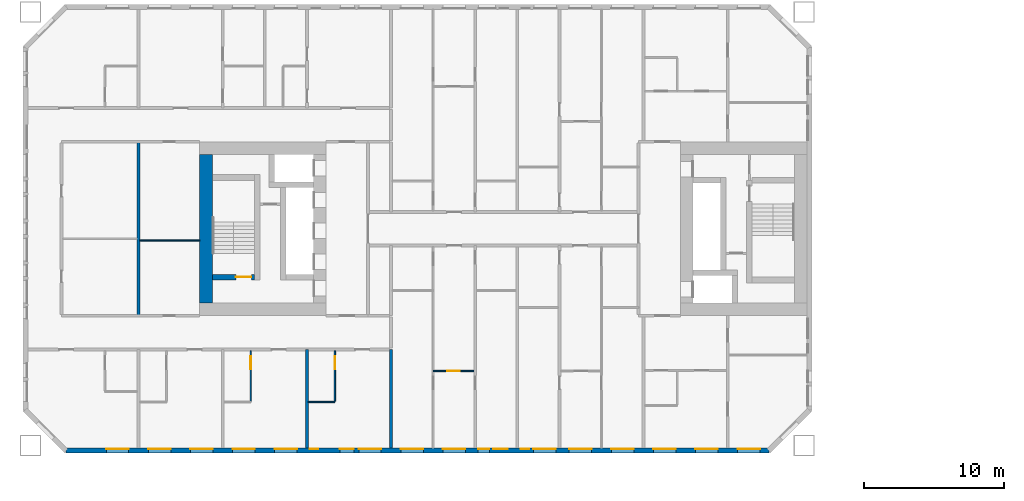
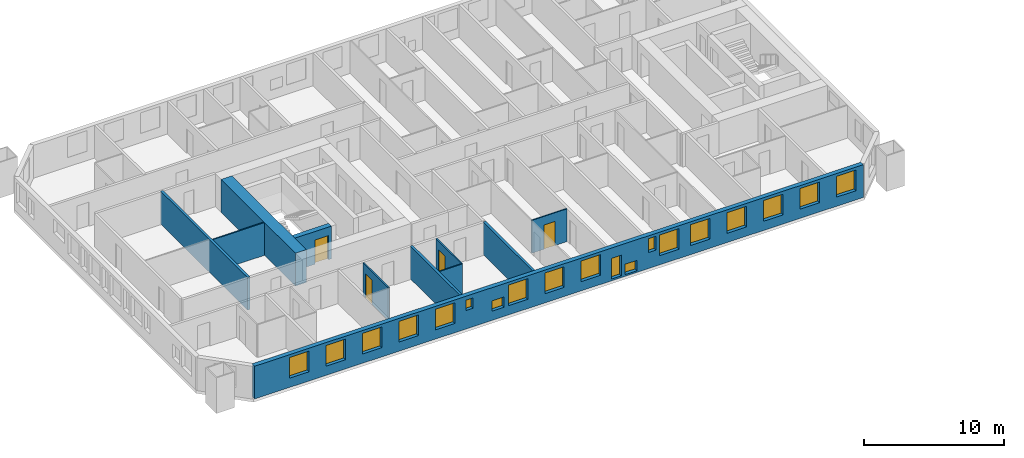
# One storey, part 3 of 18: 19 windows, 11 walls, 4 doors, 23 openings.
"""IFC4 building model written with IfcOpenShell, lengths in metres."""

from ifc_helpers import new_model, si_unit, direction, frame, frame_2d, origin, place, context, subcontext, project, spatial, rectangle, extrude, material, layer, layer_set, type_object, element, fill, save


model = new_model("IFC4")

# Units and contexts
model_context = context("Model", 3, precision=1e-05, world=origin(), true_north=direction((0.0, 1.0)))
body_context = subcontext(model_context, "Body", "Model", "MODEL_VIEW")
ifc_project = project(units=[si_unit("LENGTHUNIT", "METRE"), si_unit("AREAUNIT", "SQUARE_METRE"), si_unit("VOLUMEUNIT", "CUBIC_METRE"), si_unit("PLANEANGLEUNIT", "RADIAN"), si_unit("MASSUNIT", "GRAM", prefix="KILO")], contexts=[model_context])

# Site, building, storey
site_placement = place(None, origin())
site = spatial("IfcSite", under=ifc_project, at=site_placement, CompositionType="ELEMENT")
building_placement = place(site_placement, origin())
building = spatial("IfcBuilding", under=site, at=building_placement, Name="Tuart Gate Housing", CompositionType="ELEMENT")
storey_placement = place(building_placement, frame((0.0, 0.0, 31.89990234375)))
storey = spatial("IfcBuildingStorey", under=building, at=storey_placement, Name="L08", CompositionType="ELEMENT", Elevation=31.89990234375)

# Wall, openings, windows
ifc_material_1 = material(Name="Brick", Category="masonry")
ifc_layer_1 = layer(ifc_material_1, 0.360107421875)
ifc_layer_set_1 = layer_set([ifc_layer_1], Name="Brick pier and spandrel wall 360")
wall_type_1 = type_object("IfcWallType", Name="Brick pier and spandrel wall 360", PredefinedType="STANDARD", material=ifc_layer_set_1)
wall_1_placement = place(storey_placement, frame((22.82470703125, 54.179931640625, 0.0), z_axis=(0.0, 0.0, 1.0), x_axis=(1.0, 0.0, 0.0)))
wall_1 = element("IfcWall", 1, at=wall_1_placement, inside=storey, type_object=wall_type_1, Name="External wall A-S L08", PredefinedType="STANDARD", context=body_context, shape_type="SweptSolid", body=[
    extrude(rectangle(XDim=50.100830078125, YDim=0.360107421875, at=frame_2d((25.05029296875, 0.0))), origin(), (0.0, 0.0, 1.0), 2.85009765625),
])
opening_1_placement = place(wall_1_placement, frame((2.87548828125, 0.0, 0.800048828125)))
opening_1 = element("IfcOpeningElement", 2, at=opening_1_placement, cuts=wall_1, Name="Opening W1", PredefinedType="OPENING", context=body_context, shape_type="SweptSolid", body=[
    extrude(rectangle(XDim=1.60009765625, YDim=1.800048828125, at=frame_2d((0.800048828125, 0.89990234375))), frame((0.0, 0.18994140625, 0.0), z_axis=(0.0, -1.0, 0.0), x_axis=(1.0, 0.0, 0.0)), (0.0, 0.0, 1.0), 0.380126953125),
])
opening_2_placement = place(wall_1_placement, frame((5.87548828125, 0.0, 0.800048828125)))
opening_2 = element("IfcOpeningElement", 3, at=opening_2_placement, cuts=wall_1, Name="Opening W1", PredefinedType="OPENING", context=body_context, shape_type="SweptSolid", body=[
    extrude(rectangle(XDim=1.60009765625, YDim=1.800048828125, at=frame_2d((0.800048828125, 0.89990234375))), frame((0.0, 0.18994140625, 0.0), z_axis=(0.0, -1.0, 0.0), x_axis=(1.0, 0.0, 0.0)), (0.0, 0.0, 1.0), 0.380126953125),
])
opening_3_placement = place(wall_1_placement, frame((8.87548828125, 0.0, 0.800048828125)))
opening_3 = element("IfcOpeningElement", 4, at=opening_3_placement, cuts=wall_1, Name="Opening W1", PredefinedType="OPENING", context=body_context, shape_type="SweptSolid", body=[
    extrude(rectangle(XDim=1.60009765625, YDim=1.800048828125, at=frame_2d((0.800048828125, 0.89990234375))), frame((0.0, 0.18994140625, 0.0), z_axis=(0.0, -1.0, 0.0), x_axis=(1.0, 0.0, 0.0)), (0.0, 0.0, 1.0), 0.380126953125),
])
opening_4_placement = place(wall_1_placement, frame((11.87548828125, 0.0, 0.800048828125)))
opening_4 = element("IfcOpeningElement", 5, at=opening_4_placement, cuts=wall_1, Name="Opening W1", PredefinedType="OPENING", context=body_context, shape_type="SweptSolid", body=[
    extrude(rectangle(XDim=1.60009765625, YDim=1.800048828125, at=frame_2d((0.800048828125, 0.89990234375))), frame((0.0, 0.18994140625, 0.0), z_axis=(0.0, -1.0, 0.0), x_axis=(1.0, 0.0, 0.0)), (0.0, 0.0, 1.0), 0.380126953125),
])
opening_5_placement = place(wall_1_placement, frame((14.87548828125, 0.0, 0.800048828125)))
opening_5 = element("IfcOpeningElement", 6, at=opening_5_placement, cuts=wall_1, Name="Opening W1", PredefinedType="OPENING", context=body_context, shape_type="SweptSolid", body=[
    extrude(rectangle(XDim=1.60009765625, YDim=1.800048828125, at=frame_2d((0.800048828125, 0.89990234375))), frame((0.0, 0.18994140625, 0.0), z_axis=(0.0, -1.0, 0.0), x_axis=(1.0, 0.0, 0.0)), (0.0, 0.0, 1.0), 0.380126953125),
])
opening_6_placement = place(wall_1_placement, frame((17.37548828125, 0.0, 1.60009765625)))
opening_6 = element("IfcOpeningElement", 7, at=opening_6_placement, cuts=wall_1, Name="Opening W1W", PredefinedType="OPENING", context=body_context, shape_type="SweptSolid", body=[
    extrude(rectangle(XDim=0.60009765625, YDim=0.89990234375, at=frame_2d((0.300048828125, 0.449951171875))), frame((0.0, 0.18994140625, 0.0), z_axis=(0.0, -1.0, 0.0), x_axis=(1.0, 0.0, 0.0)), (0.0, 0.0, 1.0), 0.380126953125),
])
opening_7_placement = place(wall_1_placement, frame((20.87548828125, 0.0, 0.800048828125)))
opening_7 = element("IfcOpeningElement", 8, at=opening_7_placement, cuts=wall_1, Name="Opening W1", PredefinedType="OPENING", context=body_context, shape_type="SweptSolid", body=[
    extrude(rectangle(XDim=1.60009765625, YDim=1.800048828125, at=frame_2d((0.800048828125, 0.89990234375))), frame((0.0, 0.18994140625, 0.0), z_axis=(0.0, -1.0, 0.0), x_axis=(1.0, 0.0, 0.0)), (0.0, 0.0, 1.0), 0.380126953125),
])
opening_8_placement = place(wall_1_placement, frame((23.87548828125, 0.0, 0.800048828125)))
opening_8 = element("IfcOpeningElement", 9, at=opening_8_placement, cuts=wall_1, Name="Opening W1", PredefinedType="OPENING", context=body_context, shape_type="SweptSolid", body=[
    extrude(rectangle(XDim=1.60009765625, YDim=1.800048828125, at=frame_2d((0.800048828125, 0.89990234375))), frame((0.0, 0.18994140625, 0.0), z_axis=(0.0, -1.0, 0.0), x_axis=(1.0, 0.0, 0.0)), (0.0, 0.0, 1.0), 0.380126953125),
])
opening_9_placement = place(wall_1_placement, frame((26.87548828125, 0.0, 0.800048828125)))
opening_9 = element("IfcOpeningElement", 10, at=opening_9_placement, cuts=wall_1, Name="Opening W1", PredefinedType="OPENING", context=body_context, shape_type="SweptSolid", body=[
    extrude(rectangle(XDim=1.60009765625, YDim=1.800048828125, at=frame_2d((0.800048828125, 0.89990234375))), frame((0.0, 0.18994140625, 0.0), z_axis=(0.0, -1.0, 0.0), x_axis=(1.0, 0.0, 0.0)), (0.0, 0.0, 1.0), 0.380126953125),
])
opening_10_placement = place(wall_1_placement, frame((29.37548828125, 0.0, 0.14990234375)))
opening_10 = element("IfcOpeningElement", 11, at=opening_10_placement, cuts=wall_1, Name="Opening W1D", PredefinedType="OPENING", context=body_context, shape_type="SweptSolid", body=[
    extrude(rectangle(XDim=0.800048828125, YDim=1.800048828125, at=frame_2d((0.39990234375, 0.89990234375))), frame((0.0, 0.18994140625, 0.0), z_axis=(0.0, -1.0, 0.0), x_axis=(1.0, 0.0, 0.0)), (0.0, 0.0, 1.0), 0.380126953125),
])
opening_11_placement = place(wall_1_placement, frame((32.42529296875, 0.0, 1.39990234375)))
opening_11 = element("IfcOpeningElement", 12, at=opening_11_placement, cuts=wall_1, Name="Opening W1Q", PredefinedType="OPENING", context=body_context, shape_type="SweptSolid", body=[
    extrude(rectangle(XDim=0.60009765625, YDim=1.199951171875, at=frame_2d((0.300048828125, 0.60009765625))), frame((0.0, 0.18994140625, 0.0), z_axis=(0.0, -1.0, 0.0), x_axis=(1.0, 0.0, 0.0)), (0.0, 0.0, 1.0), 0.380126953125),
])
opening_12_placement = place(wall_1_placement, frame((35.87548828125, 0.0, 0.800048828125)))
opening_12 = element("IfcOpeningElement", 13, at=opening_12_placement, cuts=wall_1, Name="Opening W1", PredefinedType="OPENING", context=body_context, shape_type="SweptSolid", body=[
    extrude(rectangle(XDim=1.60009765625, YDim=1.800048828125, at=frame_2d((0.800048828125, 0.89990234375))), frame((0.0, 0.18994140625, 0.0), z_axis=(0.0, -1.0, 0.0), x_axis=(1.0, 0.0, 0.0)), (0.0, 0.0, 1.0), 0.380126953125),
])
opening_13_placement = place(wall_1_placement, frame((38.87548828125, 0.0, 0.800048828125)))
opening_13 = element("IfcOpeningElement", 14, at=opening_13_placement, cuts=wall_1, Name="Opening W1", PredefinedType="OPENING", context=body_context, shape_type="SweptSolid", body=[
    extrude(rectangle(XDim=1.60009765625, YDim=1.800048828125, at=frame_2d((0.800048828125, 0.89990234375))), frame((0.0, 0.18994140625, 0.0), z_axis=(0.0, -1.0, 0.0), x_axis=(1.0, 0.0, 0.0)), (0.0, 0.0, 1.0), 0.380126953125),
])
opening_14_placement = place(wall_1_placement, frame((41.87548828125, 0.0, 0.800048828125)))
opening_14 = element("IfcOpeningElement", 15, at=opening_14_placement, cuts=wall_1, Name="Opening W1", PredefinedType="OPENING", context=body_context, shape_type="SweptSolid", body=[
    extrude(rectangle(XDim=1.60009765625, YDim=1.800048828125, at=frame_2d((0.800048828125, 0.89990234375))), frame((0.0, 0.18994140625, 0.0), z_axis=(0.0, -1.0, 0.0), x_axis=(1.0, 0.0, 0.0)), (0.0, 0.0, 1.0), 0.380126953125),
])
opening_15_placement = place(wall_1_placement, frame((44.87548828125, 0.0, 0.800048828125)))
opening_15 = element("IfcOpeningElement", 16, at=opening_15_placement, cuts=wall_1, Name="Opening W1", PredefinedType="OPENING", context=body_context, shape_type="SweptSolid", body=[
    extrude(rectangle(XDim=1.60009765625, YDim=1.800048828125, at=frame_2d((0.800048828125, 0.89990234375))), frame((0.0, 0.18994140625, 0.0), z_axis=(0.0, -1.0, 0.0), x_axis=(1.0, 0.0, 0.0)), (0.0, 0.0, 1.0), 0.380126953125),
])
opening_16_placement = place(wall_1_placement, frame((47.87548828125, 0.0, 0.800048828125)))
opening_16 = element("IfcOpeningElement", 17, at=opening_16_placement, cuts=wall_1, Name="Opening W1", PredefinedType="OPENING", context=body_context, shape_type="SweptSolid", body=[
    extrude(rectangle(XDim=1.60009765625, YDim=1.800048828125, at=frame_2d((0.800048828125, 0.89990234375))), frame((0.0, 0.18994140625, 0.0), z_axis=(0.0, -1.0, 0.0), x_axis=(1.0, 0.0, 0.0)), (0.0, 0.0, 1.0), 0.380126953125),
])
opening_17_placement = place(wall_1_placement, frame((19.525390625, 0.0, 0.800048828125)))
opening_17 = element("IfcOpeningElement", 18, at=opening_17_placement, cuts=wall_1, Name="Opening W1U", PredefinedType="OPENING", context=body_context, shape_type="SweptSolid", body=[
    extrude(rectangle(XDim=1.0, YDim=0.89990234375, at=frame_2d((0.5, 0.449951171875))), frame((0.0, 0.18994140625, 0.0), z_axis=(0.0, -1.0, 0.0), x_axis=(1.0, 0.0, 0.0)), (0.0, 0.0, 1.0), 0.380126953125),
])
opening_18_placement = place(wall_1_placement, frame((30.475341796875, 0.0, 0.14990234375)))
opening_18 = element("IfcOpeningElement", 19, at=opening_18_placement, cuts=wall_1, Name="Opening W1U", PredefinedType="OPENING", context=body_context, shape_type="SweptSolid", body=[
    extrude(rectangle(XDim=1.0, YDim=0.89990234375, at=frame_2d((0.5, 0.449951171875))), frame((0.0, 0.18994140625, 0.0), z_axis=(0.0, -1.0, 0.0), x_axis=(1.0, 0.0, 0.0)), (0.0, 0.0, 1.0), 0.380126953125),
])
opening_19_placement = place(wall_1_placement, frame((33.325439453125, 0.0, 0.800048828125)))
opening_19 = element("IfcOpeningElement", 20, at=opening_19_placement, cuts=wall_1, Name="Opening W1", PredefinedType="OPENING", context=body_context, shape_type="SweptSolid", body=[
    extrude(rectangle(XDim=1.60009765625, YDim=1.800048828125, at=frame_2d((0.800048828125, 0.89990234375))), frame((0.0, 0.18994140625, 0.0), z_axis=(0.0, -1.0, 0.0), x_axis=(1.0, 0.0, 0.0)), (0.0, 0.0, 1.0), 0.380126953125),
])
ifc_material_2 = material(Name="Aluminium frame with clear glass", Category="aluminium")
window_type_1 = type_object("IfcWindowType", Name="Punched window 1000 x 900", PartitioningType="SINGLE_PANEL", PredefinedType="WINDOW", material=ifc_material_2)
window_1_placement = place(opening_17_placement, origin())
window_1 = element("IfcWindow", 21, at=window_1_placement, inside=storey, type_object=window_type_1, Name="Window W1U", OverallHeight=0.89990234375, OverallWidth=1.0, PartitioningType="SINGLE_PANEL", PredefinedType="WINDOW", context=body_context, shape_type="SweptSolid", body=[
    extrude(rectangle(XDim=1.0, YDim=0.89990234375, at=frame_2d((0.5, 0.449951171875))), frame((0.0, 0.150146484375, 0.0), z_axis=(0.0, -1.0, 0.0), x_axis=(1.0, 0.0, 0.0)), (0.0, 0.0, 1.0), 0.06005859375),
])
fill(opening_17, window_1)
window_2_placement = place(opening_18_placement, origin())
window_2 = element("IfcWindow", 22, at=window_2_placement, inside=storey, type_object=window_type_1, Name="Window W1U", OverallHeight=0.89990234375, OverallWidth=1.0, PartitioningType="SINGLE_PANEL", PredefinedType="WINDOW", context=body_context, shape_type="SweptSolid", body=[
    extrude(rectangle(XDim=1.0, YDim=0.89990234375, at=frame_2d((0.5, 0.449951171875))), frame((0.0, 0.150146484375, 0.0), z_axis=(0.0, -1.0, 0.0), x_axis=(1.0, 0.0, 0.0)), (0.0, 0.0, 1.0), 0.06005859375),
])
fill(opening_18, window_2)
ifc_material_3 = material(Name="Aluminium frame with clear glass", Category="aluminium")
window_type_2 = type_object("IfcWindowType", Name="Punched window 1600 x 1800", PartitioningType="SINGLE_PANEL", PredefinedType="WINDOW", material=ifc_material_3)
window_3_placement = place(opening_1_placement, origin())
window_3 = element("IfcWindow", 23, at=window_3_placement, inside=storey, type_object=window_type_2, Name="Window W1", OverallHeight=1.800048828125, OverallWidth=1.60009765625, PartitioningType="SINGLE_PANEL", PredefinedType="WINDOW", context=body_context, shape_type="SweptSolid", body=[
    extrude(rectangle(XDim=1.60009765625, YDim=1.800048828125, at=frame_2d((0.800048828125, 0.89990234375))), frame((0.0, 0.150146484375, 0.0), z_axis=(0.0, -1.0, 0.0), x_axis=(1.0, 0.0, 0.0)), (0.0, 0.0, 1.0), 0.06005859375),
])
fill(opening_1, window_3)
window_4_placement = place(opening_2_placement, origin())
window_4 = element("IfcWindow", 24, at=window_4_placement, inside=storey, type_object=window_type_2, Name="Window W1", OverallHeight=1.800048828125, OverallWidth=1.60009765625, PartitioningType="SINGLE_PANEL", PredefinedType="WINDOW", context=body_context, shape_type="SweptSolid", body=[
    extrude(rectangle(XDim=1.60009765625, YDim=1.800048828125, at=frame_2d((0.800048828125, 0.89990234375))), frame((0.0, 0.150146484375, 0.0), z_axis=(0.0, -1.0, 0.0), x_axis=(1.0, 0.0, 0.0)), (0.0, 0.0, 1.0), 0.06005859375),
])
fill(opening_2, window_4)
window_5_placement = place(opening_3_placement, origin())
window_5 = element("IfcWindow", 25, at=window_5_placement, inside=storey, type_object=window_type_2, Name="Window W1", OverallHeight=1.800048828125, OverallWidth=1.60009765625, PartitioningType="SINGLE_PANEL", PredefinedType="WINDOW", context=body_context, shape_type="SweptSolid", body=[
    extrude(rectangle(XDim=1.60009765625, YDim=1.800048828125, at=frame_2d((0.800048828125, 0.89990234375))), frame((0.0, 0.150146484375, 0.0), z_axis=(0.0, -1.0, 0.0), x_axis=(1.0, 0.0, 0.0)), (0.0, 0.0, 1.0), 0.06005859375),
])
fill(opening_3, window_5)
window_6_placement = place(opening_4_placement, origin())
window_6 = element("IfcWindow", 26, at=window_6_placement, inside=storey, type_object=window_type_2, Name="Window W1", OverallHeight=1.800048828125, OverallWidth=1.60009765625, PartitioningType="SINGLE_PANEL", PredefinedType="WINDOW", context=body_context, shape_type="SweptSolid", body=[
    extrude(rectangle(XDim=1.60009765625, YDim=1.800048828125, at=frame_2d((0.800048828125, 0.89990234375))), frame((0.0, 0.150146484375, 0.0), z_axis=(0.0, -1.0, 0.0), x_axis=(1.0, 0.0, 0.0)), (0.0, 0.0, 1.0), 0.06005859375),
])
fill(opening_4, window_6)
window_7_placement = place(opening_5_placement, origin())
window_7 = element("IfcWindow", 27, at=window_7_placement, inside=storey, type_object=window_type_2, Name="Window W1", OverallHeight=1.800048828125, OverallWidth=1.60009765625, PartitioningType="SINGLE_PANEL", PredefinedType="WINDOW", context=body_context, shape_type="SweptSolid", body=[
    extrude(rectangle(XDim=1.60009765625, YDim=1.800048828125, at=frame_2d((0.800048828125, 0.89990234375))), frame((0.0, 0.150146484375, 0.0), z_axis=(0.0, -1.0, 0.0), x_axis=(1.0, 0.0, 0.0)), (0.0, 0.0, 1.0), 0.06005859375),
])
fill(opening_5, window_7)
window_8_placement = place(opening_7_placement, origin())
window_8 = element("IfcWindow", 28, at=window_8_placement, inside=storey, type_object=window_type_2, Name="Window W1", OverallHeight=1.800048828125, OverallWidth=1.60009765625, PartitioningType="SINGLE_PANEL", PredefinedType="WINDOW", context=body_context, shape_type="SweptSolid", body=[
    extrude(rectangle(XDim=1.60009765625, YDim=1.800048828125, at=frame_2d((0.800048828125, 0.89990234375))), frame((0.0, 0.150146484375, 0.0), z_axis=(0.0, -1.0, 0.0), x_axis=(1.0, 0.0, 0.0)), (0.0, 0.0, 1.0), 0.06005859375),
])
fill(opening_7, window_8)
window_9_placement = place(opening_8_placement, origin())
window_9 = element("IfcWindow", 29, at=window_9_placement, inside=storey, type_object=window_type_2, Name="Window W1", OverallHeight=1.800048828125, OverallWidth=1.60009765625, PartitioningType="SINGLE_PANEL", PredefinedType="WINDOW", context=body_context, shape_type="SweptSolid", body=[
    extrude(rectangle(XDim=1.60009765625, YDim=1.800048828125, at=frame_2d((0.800048828125, 0.89990234375))), frame((0.0, 0.150146484375, 0.0), z_axis=(0.0, -1.0, 0.0), x_axis=(1.0, 0.0, 0.0)), (0.0, 0.0, 1.0), 0.06005859375),
])
fill(opening_8, window_9)
window_10_placement = place(opening_9_placement, origin())
window_10 = element("IfcWindow", 30, at=window_10_placement, inside=storey, type_object=window_type_2, Name="Window W1", OverallHeight=1.800048828125, OverallWidth=1.60009765625, PartitioningType="SINGLE_PANEL", PredefinedType="WINDOW", context=body_context, shape_type="SweptSolid", body=[
    extrude(rectangle(XDim=1.60009765625, YDim=1.800048828125, at=frame_2d((0.800048828125, 0.89990234375))), frame((0.0, 0.150146484375, 0.0), z_axis=(0.0, -1.0, 0.0), x_axis=(1.0, 0.0, 0.0)), (0.0, 0.0, 1.0), 0.06005859375),
])
fill(opening_9, window_10)
window_11_placement = place(opening_12_placement, origin())
window_11 = element("IfcWindow", 31, at=window_11_placement, inside=storey, type_object=window_type_2, Name="Window W1", OverallHeight=1.800048828125, OverallWidth=1.60009765625, PartitioningType="SINGLE_PANEL", PredefinedType="WINDOW", context=body_context, shape_type="SweptSolid", body=[
    extrude(rectangle(XDim=1.60009765625, YDim=1.800048828125, at=frame_2d((0.800048828125, 0.89990234375))), frame((0.0, 0.150146484375, 0.0), z_axis=(0.0, -1.0, 0.0), x_axis=(1.0, 0.0, 0.0)), (0.0, 0.0, 1.0), 0.06005859375),
])
fill(opening_12, window_11)
window_12_placement = place(opening_13_placement, origin())
window_12 = element("IfcWindow", 32, at=window_12_placement, inside=storey, type_object=window_type_2, Name="Window W1", OverallHeight=1.800048828125, OverallWidth=1.60009765625, PartitioningType="SINGLE_PANEL", PredefinedType="WINDOW", context=body_context, shape_type="SweptSolid", body=[
    extrude(rectangle(XDim=1.60009765625, YDim=1.800048828125, at=frame_2d((0.800048828125, 0.89990234375))), frame((0.0, 0.150146484375, 0.0), z_axis=(0.0, -1.0, 0.0), x_axis=(1.0, 0.0, 0.0)), (0.0, 0.0, 1.0), 0.06005859375),
])
fill(opening_13, window_12)
window_13_placement = place(opening_14_placement, origin())
window_13 = element("IfcWindow", 33, at=window_13_placement, inside=storey, type_object=window_type_2, Name="Window W1", OverallHeight=1.800048828125, OverallWidth=1.60009765625, PartitioningType="SINGLE_PANEL", PredefinedType="WINDOW", context=body_context, shape_type="SweptSolid", body=[
    extrude(rectangle(XDim=1.60009765625, YDim=1.800048828125, at=frame_2d((0.800048828125, 0.89990234375))), frame((0.0, 0.150146484375, 0.0), z_axis=(0.0, -1.0, 0.0), x_axis=(1.0, 0.0, 0.0)), (0.0, 0.0, 1.0), 0.06005859375),
])
fill(opening_14, window_13)
window_14_placement = place(opening_15_placement, origin())
window_14 = element("IfcWindow", 34, at=window_14_placement, inside=storey, type_object=window_type_2, Name="Window W1", OverallHeight=1.800048828125, OverallWidth=1.60009765625, PartitioningType="SINGLE_PANEL", PredefinedType="WINDOW", context=body_context, shape_type="SweptSolid", body=[
    extrude(rectangle(XDim=1.60009765625, YDim=1.800048828125, at=frame_2d((0.800048828125, 0.89990234375))), frame((0.0, 0.150146484375, 0.0), z_axis=(0.0, -1.0, 0.0), x_axis=(1.0, 0.0, 0.0)), (0.0, 0.0, 1.0), 0.06005859375),
])
fill(opening_15, window_14)
window_15_placement = place(opening_16_placement, origin())
window_15 = element("IfcWindow", 35, at=window_15_placement, inside=storey, type_object=window_type_2, Name="Window W1", OverallHeight=1.800048828125, OverallWidth=1.60009765625, PartitioningType="SINGLE_PANEL", PredefinedType="WINDOW", context=body_context, shape_type="SweptSolid", body=[
    extrude(rectangle(XDim=1.60009765625, YDim=1.800048828125, at=frame_2d((0.800048828125, 0.89990234375))), frame((0.0, 0.150146484375, 0.0), z_axis=(0.0, -1.0, 0.0), x_axis=(1.0, 0.0, 0.0)), (0.0, 0.0, 1.0), 0.06005859375),
])
fill(opening_16, window_15)
window_16_placement = place(opening_19_placement, origin())
window_16 = element("IfcWindow", 36, at=window_16_placement, inside=storey, type_object=window_type_2, Name="Window W1", OverallHeight=1.800048828125, OverallWidth=1.60009765625, PartitioningType="SINGLE_PANEL", PredefinedType="WINDOW", context=body_context, shape_type="SweptSolid", body=[
    extrude(rectangle(XDim=1.60009765625, YDim=1.800048828125, at=frame_2d((0.800048828125, 0.89990234375))), frame((0.0, 0.150146484375, 0.0), z_axis=(0.0, -1.0, 0.0), x_axis=(1.0, 0.0, 0.0)), (0.0, 0.0, 1.0), 0.06005859375),
])
fill(opening_19, window_16)
ifc_material_4 = material(Name="Aluminium frame with clear glass", Category="aluminium")
window_type_3 = type_object("IfcWindowType", Name="Punched window 600 x 1200", PartitioningType="SINGLE_PANEL", PredefinedType="WINDOW", material=ifc_material_4)
window_17_placement = place(opening_11_placement, origin())
window_17 = element("IfcWindow", 37, at=window_17_placement, inside=storey, type_object=window_type_3, Name="Window W1Q", OverallHeight=1.199951171875, OverallWidth=0.60009765625, PartitioningType="SINGLE_PANEL", PredefinedType="WINDOW", context=body_context, shape_type="SweptSolid", body=[
    extrude(rectangle(XDim=0.60009765625, YDim=1.199951171875, at=frame_2d((0.300048828125, 0.60009765625))), frame((0.0, 0.150146484375, 0.0), z_axis=(0.0, -1.0, 0.0), x_axis=(1.0, 0.0, 0.0)), (0.0, 0.0, 1.0), 0.06005859375),
])
fill(opening_11, window_17)
ifc_material_5 = material(Name="Aluminium frame with clear glass", Category="aluminium")
window_type_4 = type_object("IfcWindowType", Name="Punched window 600 x 900", PartitioningType="SINGLE_PANEL", PredefinedType="WINDOW", material=ifc_material_5)
window_18_placement = place(opening_6_placement, origin())
window_18 = element("IfcWindow", 38, at=window_18_placement, inside=storey, type_object=window_type_4, Name="Window W1W", OverallHeight=0.89990234375, OverallWidth=0.60009765625, PartitioningType="SINGLE_PANEL", PredefinedType="WINDOW", context=body_context, shape_type="SweptSolid", body=[
    extrude(rectangle(XDim=0.60009765625, YDim=0.89990234375, at=frame_2d((0.300048828125, 0.449951171875))), frame((0.0, 0.150146484375, 0.0), z_axis=(0.0, -1.0, 0.0), x_axis=(1.0, 0.0, 0.0)), (0.0, 0.0, 1.0), 0.06005859375),
])
fill(opening_6, window_18)
ifc_material_6 = material(Name="Aluminium frame with clear glass", Category="aluminium")
window_type_5 = type_object("IfcWindowType", Name="Punched window 800 x 1800", PartitioningType="SINGLE_PANEL", PredefinedType="WINDOW", material=ifc_material_6)
window_19_placement = place(opening_10_placement, origin())
window_19 = element("IfcWindow", 39, at=window_19_placement, inside=storey, type_object=window_type_5, Name="Window W1D", OverallHeight=1.800048828125, OverallWidth=0.800048828125, PartitioningType="SINGLE_PANEL", PredefinedType="WINDOW", context=body_context, shape_type="SweptSolid", body=[
    extrude(rectangle(XDim=0.800048828125, YDim=1.800048828125, at=frame_2d((0.39990234375, 0.89990234375))), frame((0.0, 0.150146484375, 0.0), z_axis=(0.0, -1.0, 0.0), x_axis=(1.0, 0.0, 0.0)), (0.0, 0.0, 1.0), 0.06005859375),
])
fill(opening_10, window_19)

# Wall, opening, door
ifc_material_7 = material(Name="Concrete C60", Category="concrete")
ifc_layer_2 = layer(ifc_material_7, 0.39990234375)
ifc_layer_set_2 = layer_set([ifc_layer_2], Name="Core wall 400 C60")
wall_type_2 = type_object("IfcWallType", Name="Core wall 400 C60", PredefinedType="SHEAR", material=ifc_layer_set_2)
wall_2_placement = place(storey_placement, frame((36.260009765625, 66.550048828125, 0.0), z_axis=(0.0, 0.0, 1.0), x_axis=(-1.0, 0.0, 0.0)))
wall_2 = element("IfcWall", 40, at=wall_2_placement, inside=storey, type_object=wall_type_2, Name="Core wall AK.5", PredefinedType="SHEAR", context=body_context, shape_type="SweptSolid", body=[
    extrude(rectangle(XDim=3.0, YDim=0.39990234375, at=frame_2d((1.5, 0.0))), origin(), (0.0, 0.0, 1.0), 2.85009765625),
])
opening_20_placement = place(wall_2_placement, frame((0.219970703125, 0.0, 0.0)))
opening_20 = element("IfcOpeningElement", 41, at=opening_20_placement, cuts=wall_2, Name="Opening D506", PredefinedType="OPENING", context=body_context, shape_type="SweptSolid", body=[
    extrude(rectangle(XDim=1.10009765625, YDim=2.10009765625, at=frame_2d((0.550048828125, 1.050048828125))), frame((0.0, 0.2099609375, 0.0), z_axis=(0.0, -1.0, 0.0), x_axis=(1.0, 0.0, 0.0)), (0.0, 0.0, 1.0), 0.419921875),
])
ifc_material_8 = material(Name="Steel fire door", Category="steel")
door_type_1 = type_object("IfcDoorType", Name="Stair door 1100 x 2100 RH", OperationType="SINGLE_SWING_RIGHT", PredefinedType="DOOR", material=ifc_material_8)
door_1_placement = place(opening_20_placement, frame((1.10009765625, 0.0, 0.0), z_axis=(0.0, 0.0, 1.0), x_axis=(-1.0, 0.0, 0.0)))
door_1 = element("IfcDoor", 42, at=door_1_placement, inside=storey, type_object=door_type_1, Name="Stair door AK.SD", OperationType="SINGLE_SWING_RIGHT", OverallHeight=2.10009765625, OverallWidth=1.10009765625, PredefinedType="DOOR", context=body_context, shape_type="SweptSolid", body=[
    extrude(rectangle(XDim=1.10009765625, YDim=2.10009765625, at=frame_2d((0.550048828125, 1.050048828125))), frame((0.0, 0.025146484375, 0.0), z_axis=(0.0, -1.0, 0.0), x_axis=(1.0, 0.0, 0.0)), (0.0, 0.0, 1.0), 0.050048828125),
])
fill(opening_20, door_1)

# Walls
ifc_material_9 = material(Name="Concrete C60", Category="concrete")
ifc_layer_3 = layer(ifc_material_9, 0.89990234375)
ifc_layer_set_3 = layer_set([ifc_layer_3], Name="Core wall 900 C60")
wall_type_3 = type_object("IfcWallType", Name="Core wall 900 C60", PredefinedType="SHEAR", material=ifc_layer_set_3)
wall_3_placement = place(storey_placement, frame((32.81005859375, 75.300048828125, 0.0), z_axis=(0.0, 0.0, 1.0), x_axis=(0.0, -1.0, 0.0)))
element("IfcWall", 43, at=wall_3_placement, inside=storey, type_object=wall_type_3, Name="Core wall AK back", PredefinedType="SHEAR", context=body_context, shape_type="SweptSolid", body=[
    extrude(rectangle(XDim=10.60009765625, YDim=0.89990234375, at=frame_2d((5.300048828125, 0.0))), origin(), (0.0, 0.0, 1.0), 2.85009765625),
])
ifc_material_10 = material(Name="Gypsum board on steel studs", Category="steel")
ifc_layer_4 = layer(ifc_material_10, 0.10009765625)
ifc_layer_set_4 = layer_set([ifc_layer_4], Name="Partition 100")
wall_type_4 = type_object("IfcWallType", Name="Partition 100", PredefinedType="PARTITIONING", material=ifc_layer_set_4)
wall_4_placement = place(storey_placement, frame((40.10009765625, 57.64990234375, 0.0), z_axis=(0.0, 0.0, 1.0), x_axis=(1.0, 0.0, 0.0)))
element("IfcWall", 44, at=wall_4_placement, inside=storey, type_object=wall_type_4, Name="Partition 100", PredefinedType="PARTITIONING", context=body_context, shape_type="SweptSolid", body=[
    extrude(rectangle(XDim=1.89990234375, YDim=0.10009765625, at=frame_2d((0.949951171875, 0.0))), origin(), (0.0, 0.0, 1.0), 2.85009765625),
])

# Wall, opening, door
wall_5_placement = place(storey_placement, frame((49.0, 59.860107421875, 0.0), z_axis=(0.0, 0.0, 1.0), x_axis=(1.0, 0.0, 0.0)))
wall_5 = element("IfcWall", 45, at=wall_5_placement, inside=storey, type_object=wall_type_4, Name="Partition 100", PredefinedType="PARTITIONING", context=body_context, shape_type="SweptSolid", body=[
    extrude(rectangle(XDim=2.89990234375, YDim=0.10009765625, at=frame_2d((1.449951171875, 0.0))), origin(), (0.0, 0.0, 1.0), 2.85009765625),
])
opening_21_placement = place(wall_5_placement, frame((1.0, 0.0, 0.0)))
opening_21 = element("IfcOpeningElement", 46, at=opening_21_placement, cuts=wall_5, Name="Opening D525", PredefinedType="OPENING", context=body_context, shape_type="SweptSolid", body=[
    extrude(rectangle(XDim=0.89990234375, YDim=2.10009765625, at=frame_2d((0.449951171875, 1.050048828125))), frame((0.0, 0.06005859375, 0.0), z_axis=(0.0, -1.0, 0.0), x_axis=(1.0, 0.0, 0.0)), (0.0, 0.0, 1.0), 0.1201171875),
])
ifc_material_11 = material(Name="Timber door leaf in steel frame", Category="steel")
door_type_2 = type_object("IfcDoorType", Name="Internal door 900", OperationType="SINGLE_SWING_LEFT", PredefinedType="DOOR", material=ifc_material_11)
door_2_placement = place(opening_21_placement, origin())
door_2 = element("IfcDoor", 47, at=door_2_placement, inside=storey, type_object=door_type_2, Name="Internal door", OperationType="SINGLE_SWING_LEFT", OverallHeight=2.10009765625, OverallWidth=0.89990234375, PredefinedType="DOOR", context=body_context, shape_type="SweptSolid", body=[
    extrude(rectangle(XDim=0.89990234375, YDim=2.10009765625, at=frame_2d((0.449951171875, 1.050048828125))), frame((0.0, 0.02490234375, 0.0), z_axis=(0.0, -1.0, 0.0), x_axis=(1.0, 0.0, 0.0)), (0.0, 0.0, 1.0), 0.050048828125),
])
fill(opening_21, door_2)

# Wall
wall_6_placement = place(storey_placement, frame((28.10009765625, 69.159912109375, 0.0), z_axis=(0.0, 0.0, 1.0), x_axis=(1.0, 0.0, 0.0)))
element("IfcWall", 48, at=wall_6_placement, inside=storey, type_object=wall_type_4, Name="Partition 100", PredefinedType="PARTITIONING", context=body_context, shape_type="SweptSolid", body=[
    extrude(rectangle(XDim=4.260009765625, YDim=0.10009765625, at=frame_2d((2.1298828125, 0.0))), origin(), (0.0, 0.0, 1.0), 2.85009765625),
])

# Wall, opening, door
wall_7_placement = place(storey_placement, frame((36.0, 57.699951171875, 0.0), z_axis=(0.0, 0.0, 1.0), x_axis=(0.0, 1.0, 0.0)))
wall_7 = element("IfcWall", 49, at=wall_7_placement, inside=storey, type_object=wall_type_4, Name="Partition 100", PredefinedType="PARTITIONING", context=body_context, shape_type="SweptSolid", body=[
    extrude(rectangle(XDim=3.60009765625, YDim=0.10009765625, at=frame_2d((1.800048828125, 0.0))), origin(), (0.0, 0.0, 1.0), 2.85009765625),
])
opening_22_placement = place(wall_7_placement, frame((2.300048828125, 0.0, 0.0)))
opening_22 = element("IfcOpeningElement", 50, at=opening_22_placement, cuts=wall_7, Name="Opening D528", PredefinedType="OPENING", context=body_context, shape_type="SweptSolid", body=[
    extrude(rectangle(XDim=0.89990234375, YDim=2.10009765625, at=frame_2d((0.449951171875, 1.050048828125))), frame((0.0, 0.06005859375, 0.0), z_axis=(0.0, -1.0, 0.0), x_axis=(1.0, 0.0, 0.0)), (0.0, 0.0, 1.0), 0.1201171875),
])
ifc_material_12 = material(Name="Timber door leaf in steel frame", Category="steel")
door_type_3 = type_object("IfcDoorType", Name="Bathroom door 900 RH", OperationType="SINGLE_SWING_RIGHT", PredefinedType="DOOR", material=ifc_material_12)
door_3_placement = place(opening_22_placement, origin())
door_3 = element("IfcDoor", 51, at=door_3_placement, inside=storey, type_object=door_type_3, Name="Bathroom door", OperationType="SINGLE_SWING_RIGHT", OverallHeight=2.10009765625, OverallWidth=0.89990234375, PredefinedType="DOOR", context=body_context, shape_type="SweptSolid", body=[
    extrude(rectangle(XDim=0.89990234375, YDim=2.10009765625, at=frame_2d((0.449951171875, 1.050048828125))), frame((0.0, 0.02490234375, 0.0), z_axis=(0.0, -1.0, 0.0), x_axis=(1.0, 0.0, 0.0)), (0.0, 0.0, 1.0), 0.050048828125),
])
fill(opening_22, door_3)

wall_8_placement = place(storey_placement, frame((42.0, 57.699951171875, 0.0), z_axis=(0.0, 0.0, 1.0), x_axis=(0.0, 1.0, 0.0)))
wall_8 = element("IfcWall", 52, at=wall_8_placement, inside=storey, type_object=wall_type_4, Name="Partition 100", PredefinedType="PARTITIONING", context=body_context, shape_type="SweptSolid", body=[
    extrude(rectangle(XDim=3.60009765625, YDim=0.10009765625, at=frame_2d((1.800048828125, 0.0))), origin(), (0.0, 0.0, 1.0), 2.85009765625),
])
opening_23_placement = place(wall_8_placement, frame((2.300048828125, 0.0, 0.0)))
opening_23 = element("IfcOpeningElement", 53, at=opening_23_placement, cuts=wall_8, Name="Opening D529", PredefinedType="OPENING", context=body_context, shape_type="SweptSolid", body=[
    extrude(rectangle(XDim=0.89990234375, YDim=2.10009765625, at=frame_2d((0.449951171875, 1.050048828125))), frame((0.0, 0.06005859375, 0.0), z_axis=(0.0, -1.0, 0.0), x_axis=(1.0, 0.0, 0.0)), (0.0, 0.0, 1.0), 0.1201171875),
])
door_4_placement = place(opening_23_placement, origin())
door_4 = element("IfcDoor", 54, at=door_4_placement, inside=storey, type_object=door_type_3, Name="Bathroom door", OperationType="SINGLE_SWING_RIGHT", OverallHeight=2.10009765625, OverallWidth=0.89990234375, PredefinedType="DOOR", context=body_context, shape_type="SweptSolid", body=[
    extrude(rectangle(XDim=0.89990234375, YDim=2.10009765625, at=frame_2d((0.449951171875, 1.050048828125))), frame((0.0, 0.02490234375, 0.0), z_axis=(0.0, -1.0, 0.0), x_axis=(1.0, 0.0, 0.0)), (0.0, 0.0, 1.0), 0.050048828125),
])
fill(opening_23, door_4)

# Walls
ifc_material_13 = material(Name="Concrete C40", Category="concrete")
ifc_layer_5 = layer(ifc_material_13, 0.199951171875)
ifc_layer_set_5 = layer_set([ifc_layer_5], Name="Party wall concrete C40 200")
wall_type_5 = type_object("IfcWallType", Name="Party wall concrete C40 200", PredefinedType="SOLIDWALL", material=ifc_layer_set_5)
wall_9_placement = place(storey_placement, frame((28.0, 63.800048828125, 0.0), z_axis=(0.0, 0.0, 1.0), x_axis=(0.0, 1.0, 0.0)))
element("IfcWall", 55, at=wall_9_placement, inside=storey, type_object=wall_type_5, Name="Party wall concrete C40 200", PredefinedType="SOLIDWALL", context=body_context, shape_type="SweptSolid", body=[
    extrude(rectangle(XDim=12.39990234375, YDim=0.199951171875, at=frame_2d((6.199951171875, 0.0))), origin(), (0.0, 0.0, 1.0), 2.85009765625),
])
for number, where, z_axis, x_axis, name in (
    (56, (40.0, 54.360107421875, 0.0), (0.0, 0.0, 1.0), (0.0, 1.0, 0.0), "Party wall concrete C40 200"),
    (57, (46.0, 54.360107421875, 0.0), (0.0, 0.0, 1.0), (0.0, 1.0, 0.0), "Party wall concrete C40 200"),
):
    element("IfcWall", number, at=place(storey_placement, frame(where, z_axis=z_axis, x_axis=x_axis)), inside=storey, type_object=wall_type_5, Name=name, PredefinedType="SOLIDWALL", context=body_context, shape_type="SweptSolid", body=[
        extrude(rectangle(XDim=7.039794921875, YDim=0.199951171875, at=frame_2d((3.52001953125, 0.0))), origin(), (0.0, 0.0, 1.0), 2.85009765625),
    ])

save(model, "model.ifc")
